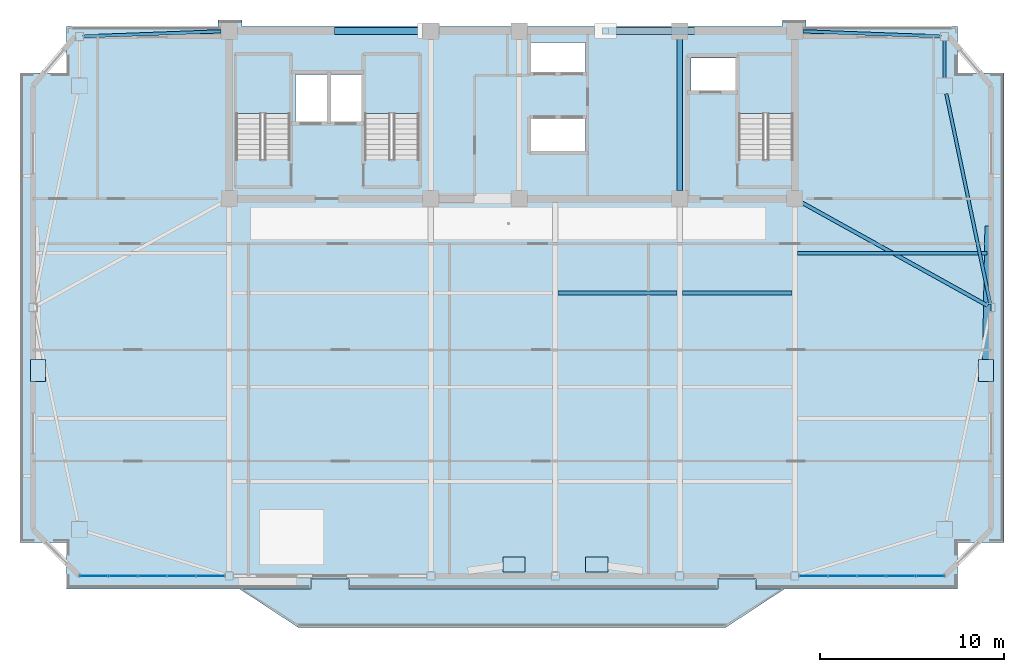
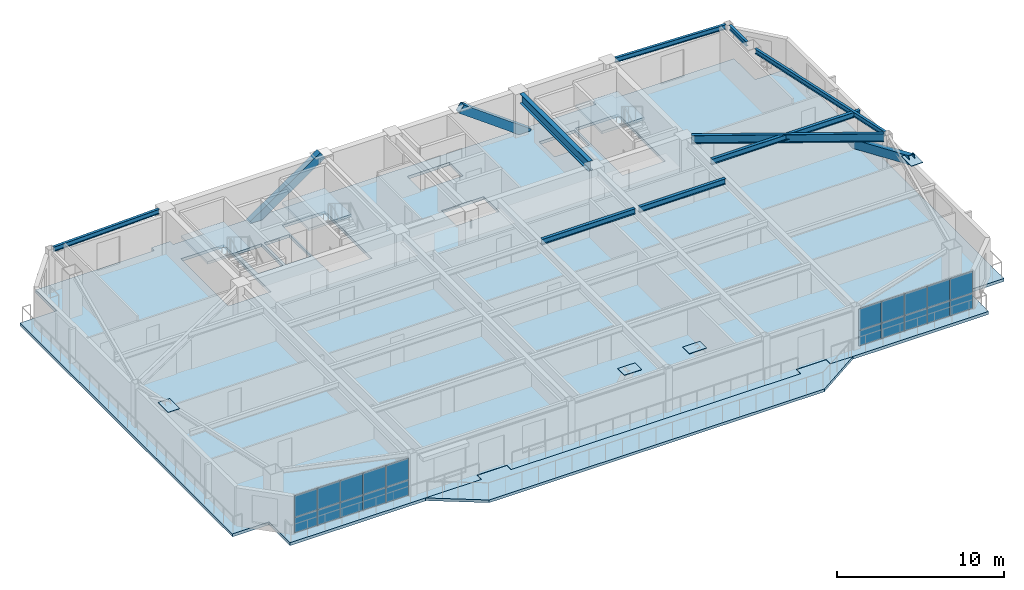
# One storey, part 7 of 16: 24 plates, 9 beams, 5 slabs, 3 members, 5 elements without a shape of their own.
"""IFC4 building model written with IfcOpenShell, lengths in metres."""

import ifcopenshell
import ifcopenshell.guid

model = None  # the IFC model being written
_history = None  # IfcOwnerHistory: only IFC2X3 demands one
_inside = {}  # id of a spatial element -> (the spatial element, [elements in it])
_under = {}  # id of a project, library or spatial element -> (it, [spatial elements below it])
_declared = {}  # id of a project -> (the project, [libraries it declares])
_typed = {}  # id of a type object -> (the type object, [elements of that type])
_made_of = {}  # id of a material, layer set ... -> (it, [elements and type objects made of it])


def new_model(schema):
    """Start an empty IFC model of exactly this schema.

    Asked for "IFC4X3", IfcOpenShell would pick the latest addendum, in which some entities
    have other attributes; the version numbers below select the first issue.
    IFC2X3 requires an IfcOwnerHistory on every rooted entity: one is made here for all.
    """
    global model, _history
    if schema == "IFC4X3":
        model = ifcopenshell.file(schema_version=(4, 3, 0, 0))
    else:
        model = ifcopenshell.file(schema=schema)
    _inside.clear()
    _under.clear()
    _declared.clear()
    _typed.clear()
    _made_of.clear()
    _history = None
    if model.schema == "IFC2X3":
        org = make("IfcOrganization", Name="unknown")
        user = make(
            "IfcPersonAndOrganization",
            ThePerson=make("IfcPerson", FamilyName="unknown"),
            TheOrganization=org,
        )
        app = make(
            "IfcApplication",
            ApplicationDeveloper=org,
            Version="unknown",
            ApplicationFullName="unknown",
            ApplicationIdentifier="unknown",
        )
        _history = make(
            "IfcOwnerHistory",
            OwningUser=user,
            OwningApplication=app,
            ChangeAction="ADDED",
            CreationDate=0,
        )
    return model


def make(cls, **values):
    """One entity of the class cls with the attributes given. An attribute that is None is left unset."""
    return model.create_entity(
        cls, **{name: value for name, value in values.items() if value is not None}
    )


def rooted(cls, **values):
    """An entity with a GlobalId (a new one), such as an element, a storey or a relation."""
    return make(cls, GlobalId=ifcopenshell.guid.new(), OwnerHistory=_history, **values)


def si_unit(unit_type, name, prefix=None):
    """IfcSIUnit, for example si_unit("LENGTHUNIT", "METRE", prefix="MILLI")."""
    return make("IfcSIUnit", UnitType=unit_type, Prefix=prefix, Name=name)


def assignment(units):
    """IfcUnitAssignment: the units of a project."""
    return None if units is None else make("IfcUnitAssignment", Units=units)


def point(xyz):
    """IfcCartesianPoint."""
    return None if xyz is None else make("IfcCartesianPoint", Coordinates=xyz)


def direction(xyz):
    """IfcDirection."""
    return None if xyz is None else make("IfcDirection", DirectionRatios=xyz)


def frame(location, z_axis=None, x_axis=None):
    """IfcAxis2Placement3D, a coordinate frame: its origin and axes. An axis left out is left unset."""
    return make(
        "IfcAxis2Placement3D",
        Location=point(location),
        Axis=direction(z_axis),
        RefDirection=direction(x_axis),
    )


def frame_2d(location, x_axis=None):
    """IfcAxis2Placement2D, a coordinate frame in the plane: its origin and x axis."""
    return make(
        "IfcAxis2Placement2D", Location=point(location), RefDirection=direction(x_axis)
    )


def origin():
    """The frame at (0, 0, 0) with its axes left unset."""
    return frame((0.0, 0.0, 0.0))


def origin_2d():
    """The frame at (0, 0) in the plane with its x axis left unset."""
    return frame_2d((0.0, 0.0))


def place(relative_to, where):
    """IfcLocalPlacement: puts the frame where relative to a parent placement (None: the world)."""
    return make(
        "IfcLocalPlacement", PlacementRelTo=relative_to, RelativePlacement=where
    )


def context(
    kind, dimensions, precision=None, world=None, true_north=None, identifier=None
):
    """IfcGeometricRepresentationContext, for example the 3D "Model" context."""
    return make(
        "IfcGeometricRepresentationContext",
        ContextIdentifier=identifier,
        ContextType=kind,
        CoordinateSpaceDimension=dimensions,
        Precision=precision,
        WorldCoordinateSystem=world,
        TrueNorth=true_north,
    )


def subcontext(parent, identifier, kind, view, scale=None):
    """IfcGeometricRepresentationSubContext, for example "Body" below "Model"."""
    return make(
        "IfcGeometricRepresentationSubContext",
        ContextIdentifier=identifier,
        ContextType=kind,
        ParentContext=parent,
        TargetScale=scale,
        TargetView=view,
    )


def project(units=None, contexts=None):
    """IfcProject with its units and contexts."""
    return rooted(
        "IfcProject",
        Name="project",
        RepresentationContexts=contexts,
        UnitsInContext=assignment(units),
    )


def spatial(cls, under=None, at=None, **own):
    """A site, building, storey or space (cls), placed at a placement, below another one or the project."""
    s = rooted(cls, ObjectPlacement=at, **own)
    if under is not None:
        _under.setdefault(under.id(), (under, []))[1].append(s)
    return s


def polyline(points):
    """IfcPolyline through the points."""
    return make("IfcPolyline", Points=[point(p) for p in points])


def profile(cls, at=None, kind="AREA", **sizes):
    """A parametric profile (cls). Its sizes go by their IFC names, for example OverallWidth=200.0."""
    return make(cls, ProfileType=kind, Position=at, **sizes)


def rectangle(**sizes):
    """IfcRectangleProfileDef."""
    return profile("IfcRectangleProfileDef", **sizes)


def hollow_rectangle(**sizes):
    """IfcRectangleHollowProfileDef."""
    return profile("IfcRectangleHollowProfileDef", **sizes)


def i_section(**sizes):
    """IfcIShapeProfileDef."""
    return profile("IfcIShapeProfileDef", **sizes)


def outline(outer, holes=None, kind="AREA"):
    """IfcArbitraryClosedProfileDef: a profile drawn as a closed curve; with holes, ...WithVoids."""
    if holes is None:
        return make("IfcArbitraryClosedProfileDef", ProfileType=kind, OuterCurve=outer)
    return make(
        "IfcArbitraryProfileDefWithVoids",
        ProfileType=kind,
        OuterCurve=outer,
        InnerCurves=holes,
    )


def extrude(swept, where, along, depth):
    """IfcExtrudedAreaSolid: the profile swept, set in the frame where, extruded along a direction by depth."""
    return make(
        "IfcExtrudedAreaSolid",
        SweptArea=swept,
        Position=where,
        ExtrudedDirection=direction(along),
        Depth=depth,
    )


def shape(context_of_items, identifier, shape_type, items):
    """IfcShapeRepresentation: the items that make up one representation, for example the "Body"."""
    return make(
        "IfcShapeRepresentation",
        ContextOfItems=context_of_items,
        RepresentationIdentifier=identifier,
        RepresentationType=shape_type,
        Items=items,
    )


def source(mapping_origin, context_of_items, identifier, shape_type, items):
    """IfcRepresentationMap: a shape defined once, which mapped items show again and again."""
    return make(
        "IfcRepresentationMap",
        MappingOrigin=mapping_origin,
        MappedRepresentation=shape(context_of_items, identifier, shape_type, items),
    )


def transform(
    local_origin,
    x_axis=None,
    y_axis=None,
    z_axis=None,
    scale=None,
    scale2=None,
    scale3=None,
    uniform=True,
):
    """IfcCartesianTransformationOperator3D, or its non-uniform kind. x_axis, y_axis, z_axis: its Axis1, 2, 3."""
    if uniform:
        return make(
            "IfcCartesianTransformationOperator3D",
            Axis1=direction(x_axis),
            Axis2=direction(y_axis),
            LocalOrigin=point(local_origin),
            Scale=scale,
            Axis3=direction(z_axis),
        )
    return make(
        "IfcCartesianTransformationOperator3DnonUniform",
        Axis1=direction(x_axis),
        Axis2=direction(y_axis),
        LocalOrigin=point(local_origin),
        Scale=scale,
        Axis3=direction(z_axis),
        Scale2=scale2,
        Scale3=scale3,
    )


def mapped(mapping_source, mapping_target):
    """IfcMappedItem: shows the shape of a source again, moved by a transform."""
    return make(
        "IfcMappedItem", MappingSource=mapping_source, MappingTarget=mapping_target
    )


def material(Name=None, Category=None):
    """IfcMaterial."""
    return make("IfcMaterial", Name=Name, Category=Category)


def layer(
    of_material, thickness, ventilated=None, Name=None, Category=None, Priority=None
):
    """IfcMaterialLayer: one layer of a wall or slab, of a material (None: an air gap)."""
    return make(
        "IfcMaterialLayer",
        Material=of_material,
        LayerThickness=thickness,
        IsVentilated=ventilated,
        Name=Name,
        Category=Category,
        Priority=Priority,
    )


def layer_set(layers, Name=None):
    """IfcMaterialLayerSet."""
    return make("IfcMaterialLayerSet", MaterialLayers=layers, LayerSetName=Name)


def material_profile(
    of_material, cross_section, Name=None, Category=None, Priority=None
):
    """IfcMaterialProfile: a cross section and its material."""
    return make(
        "IfcMaterialProfile",
        Name=Name,
        Material=of_material,
        Profile=cross_section,
        Priority=Priority,
        Category=Category,
    )


def profile_set(profiles, Name=None, composite=None):
    """IfcMaterialProfileSet."""
    return make(
        "IfcMaterialProfileSet",
        Name=Name,
        MaterialProfiles=profiles,
        CompositeProfile=composite,
    )


def made_of(thing, what):
    """Note that an element or type object is made of a material, layer set ...; save() writes the relation."""
    if what is not None:
        _made_of.setdefault(what.id(), (what, []))[1].append(thing)
    return thing


def type_object(cls, material=None, **own):
    """A type object (cls), such as IfcWallType, which elements share."""
    return made_of(rooted(cls, **own), material)


def element(
    cls,
    number,
    at=None,
    inside=None,
    cuts=None,
    type_object=None,
    material=None,
    context=None,
    identifier="Body",
    shape_type=None,
    held_by="IfcProductDefinitionShape",
    body=None,
    shapes=None,
    **own,
):
    """One element of the class cls, such as IfcWall. Its Tag is "e" and its number.

    at: its placement. inside: the storey or other place that contains it. cuts: it is an
    opening in that element (IfcRelVoidsElement). A single representation is given by context,
    identifier, shape_type and body (its items); several are given by shapes. held_by: the class
    of the entity that holds the representations. save() writes the other relations.
    """
    e = rooted(cls, Tag="e%d" % number, ObjectPlacement=at, **own)
    if body is not None:
        shapes = [shape(context, identifier, shape_type, body)]
    if shapes is not None:
        e.Representation = make(held_by, Representations=shapes)
    if inside is not None:
        _inside.setdefault(inside.id(), (inside, []))[1].append(e)
    if cuts is not None:
        rooted(
            "IfcRelVoidsElement", RelatingBuildingElement=cuts, RelatedOpeningElement=e
        )
    if type_object is not None:
        _typed.setdefault(type_object.id(), (type_object, []))[1].append(e)
    return made_of(e, material)


def aggregate(whole, parts):
    """IfcRelAggregates: a whole, such as a stair, and the parts it consists of."""
    return rooted("IfcRelAggregates", RelatingObject=whole, RelatedObjects=parts)


def save(model, path):
    """Write the relations noted so far, then the file.

    IfcRelAggregates (storeys below a building ...), IfcRelContainedInSpatialStructure (elements
    in a storey), IfcRelDefinesByType, IfcRelAssociatesMaterial and IfcRelDeclares: one each for
    every whole, place, type object, material and project.
    """
    for whole, parts in _under.values():
        aggregate(whole, parts)
    for where, things in _inside.values():
        rooted(
            "IfcRelContainedInSpatialStructure",
            RelatedElements=things,
            RelatingStructure=where,
        )
    for kind, things in _typed.values():
        rooted("IfcRelDefinesByType", RelatedObjects=things, RelatingType=kind)
    for what, things in _made_of.values():
        rooted("IfcRelAssociatesMaterial", RelatedObjects=things, RelatingMaterial=what)
    for by, libraries in _declared.values():
        rooted("IfcRelDeclares", RelatingContext=by, RelatedDefinitions=libraries)
    model.write(path)


model = new_model("IFC4")

# Units and contexts
model_context = context("Model", 3, precision=1e-05, world=origin(), true_north=direction((0.0, 1.0)))
body_context = subcontext(model_context, "Body", "Model", "MODEL_VIEW")
ifc_project = project(units=[si_unit("LENGTHUNIT", "METRE"), si_unit("AREAUNIT", "SQUARE_METRE"), si_unit("VOLUMEUNIT", "CUBIC_METRE"), si_unit("PLANEANGLEUNIT", "RADIAN"), si_unit("MASSUNIT", "GRAM", prefix="KILO")], contexts=[model_context])

# Site, building, storey
site_placement = place(None, origin())
site = spatial("IfcSite", under=ifc_project, at=site_placement, CompositionType="ELEMENT")
building_placement = place(site_placement, origin())
building = spatial("IfcBuilding", under=site, at=building_placement, Name="Giltprow Tower", CompositionType="ELEMENT")
storey_placement = place(building_placement, frame((0.0, 0.0, 272.300048828125)))
storey = spatial("IfcBuildingStorey", under=building, at=storey_placement, Name="L70", CompositionType="ELEMENT", Elevation=272.300048828125)

# Beams
ifc_material_1 = material(Name="Structural steel Q355B", Category="steel")
ifc_material_profile_1 = material_profile(ifc_material_1, i_section(OverallWidth=0.199951171875, OverallDepth=0.39990234375, WebThickness=0.008056640625, FlangeThickness=0.012939453125, at=origin_2d()), Name="HN 400x200x8x13")
ifc_profile_set_1 = profile_set([ifc_material_profile_1], Name="Structural steel Q355B")
beam_type_1 = type_object("IfcBeamType", Name="BM-JOIST-HN400", PredefinedType="JOIST", material=ifc_profile_set_1)
shared_shape_1 = source(origin(), body_context, "Body", "SweptSolid", [
    extrude(i_section(OverallWidth=0.199951171875, OverallDepth=0.39990234375, WebThickness=0.008056640625, FlangeThickness=0.012939453125, at=origin_2d()), origin(), (0.0, 0.0, 1.0), 6.4599609375),
])
beam_1_placement = place(storey_placement, frame((37.695068359375, 32.33203125, 2.98486328125), z_axis=(1.0, 0.0, 0.0), x_axis=(0.0, 1.0, 0.0)))
element("IfcBeam", 1, at=beam_1_placement, inside=storey, type_object=beam_type_1, Name="L70 Composite Floor Joist 3-3", PredefinedType="JOIST", context=body_context, shape_type="MappedRepresentation", body=[
    mapped(shared_shape_1, transform((0.0, 0.0, 0.0), x_axis=(1.0, 0.0, 0.0), y_axis=(0.0, 1.0, 0.0), z_axis=(0.0, 0.0, 1.0), scale=1.0)),
])
shared_shape_2 = source(origin(), body_context, "Body", "SweptSolid", [
    extrude(i_section(OverallWidth=0.199951171875, OverallDepth=0.39990234375, WebThickness=0.008056640625, FlangeThickness=0.012939453125, at=origin_2d()), origin(), (0.0, 0.0, 1.0), 5.9599609375),
])
beam_2_placement = place(storey_placement, frame((44.445068359375, 32.33203125, 2.98486328125), z_axis=(1.0, 0.0, 0.0), x_axis=(0.0, 1.0, 0.0)))
element("IfcBeam", 2, at=beam_2_placement, inside=storey, type_object=beam_type_1, Name="L70 Composite Floor Joist 3-4", PredefinedType="JOIST", context=body_context, shape_type="MappedRepresentation", body=[
    mapped(shared_shape_2, transform((0.0, 0.0, 0.0), x_axis=(1.0, 0.0, 0.0), y_axis=(0.0, 1.0, 0.0), z_axis=(0.0, 0.0, 1.0), scale=1.0)),
])
ifc_material_profile_2 = material_profile(ifc_material_1, i_section(OverallWidth=0.300048828125, OverallDepth=0.699951171875, WebThickness=0.012939453125, FlangeThickness=0.02392578125, at=origin_2d()), Name="HN 700x300x13x24")
ifc_profile_set_2 = profile_set([ifc_material_profile_2], Name="Structural steel Q355B")
beam_type_2 = type_object("IfcBeamType", Name="BM-GIRD-HN700", PredefinedType="BEAM", material=ifc_profile_set_2)
shared_shape_3 = source(origin(), body_context, "Body", "SweptSolid", [
    extrude(i_section(OverallWidth=0.300048828125, OverallDepth=0.699951171875, WebThickness=0.012939453125, FlangeThickness=0.02392578125, at=origin_2d()), origin(), (0.0, 0.0, 1.0), 8.22998046875),
])
beam_3_placement = place(storey_placement, frame((44.300048828125, 37.885009765625, 2.8349609375), z_axis=(0.0, 1.0, 0.0), x_axis=(-1.0, 0.0, 0.0)))
element("IfcBeam", 3, at=beam_3_placement, inside=storey, type_object=beam_type_2, Name="L70 Core Tie Girder M3", PredefinedType="BEAM", context=body_context, shape_type="MappedRepresentation", body=[
    mapped(shared_shape_3, transform((0.0, 0.0, 0.0), x_axis=(1.0, 0.0, 0.0), y_axis=(0.0, 1.0, 0.0), z_axis=(0.0, 0.0, 1.0), scale=1.0)),
])
shared_shape_4 = source(origin(), body_context, "Body", "SweptSolid", [
    extrude(i_section(OverallWidth=0.199951171875, OverallDepth=0.39990234375, WebThickness=0.008056640625, FlangeThickness=0.012939453125, at=origin_2d()), origin(), (0.0, 0.0, 1.0), 10.2919921875),
])
beam_4_placement = place(storey_placement, frame((50.695068359375, 34.493896484375, 2.98486328125), z_axis=(1.0, 0.0, 0.0), x_axis=(0.0, 1.0, 0.0)))
element("IfcBeam", 4, at=beam_4_placement, inside=storey, type_object=beam_type_1, Name="L70 East Wing Floor Joist 2", PredefinedType="JOIST", context=body_context, shape_type="MappedRepresentation", body=[
    mapped(shared_shape_4, transform((0.0, 0.0, 0.0), x_axis=(1.0, 0.0, 0.0), y_axis=(0.0, 1.0, 0.0), z_axis=(0.0, 0.0, 1.0), scale=1.0)),
])
ifc_material_profile_3 = material_profile(ifc_material_1, i_section(OverallWidth=0.175048828125, OverallDepth=0.35009765625, WebThickness=0.007080078125, FlangeThickness=0.010986328125, at=origin_2d()), Name="HN 350x175x7x11")
ifc_profile_set_3 = profile_set([ifc_material_profile_3], Name="Structural steel Q355B")
beam_type_3 = type_object("IfcBeamType", Name="BM-SPAN-HN350", PredefinedType="SPANDREL", material=ifc_profile_set_3)
shared_shape_5 = source(origin(), body_context, "Body", "SweptSolid", [
    extrude(i_section(OverallWidth=0.175048828125, OverallDepth=0.35009765625, WebThickness=0.007080078125, FlangeThickness=0.010986328125, at=origin_2d()), origin(), (0.0, 0.0, 1.0), 11.65478515625),
])
beam_5_placement = place(storey_placement, frame((61.1640625, 31.743896484375, 3.010009765625), z_axis=(-0.205159502565, 0.978728552004, 0.0), x_axis=(-0.978728552004, -0.205159502565, 0.0)))
element("IfcBeam", 5, at=beam_5_placement, inside=storey, type_object=beam_type_3, Name="L70 Perimeter Spandrel Beam E_MID-MC_NE", PredefinedType="SPANDREL", context=body_context, shape_type="MappedRepresentation", body=[
    mapped(shared_shape_5, transform((0.0, 0.0, 0.0), x_axis=(1.0, 0.0, 0.0), y_axis=(0.0, 1.0, 0.0), z_axis=(0.0, 0.0, 1.0), scale=1.0)),
])
shared_shape_6 = source(origin(), body_context, "Body", "SweptSolid", [
    extrude(i_section(OverallWidth=0.175048828125, OverallDepth=0.35009765625, WebThickness=0.007080078125, FlangeThickness=0.010986328125, at=origin_2d()), origin(), (0.0, 0.0, 1.0), 2.028076171875),
])
beam_6_placement = place(storey_placement, frame((58.68408203125, 44.011962890625, 3.010009765625), z_axis=(0.0, 1.0, 0.0), x_axis=(-1.0, 0.0, 0.0)))
element("IfcBeam", 6, at=beam_6_placement, inside=storey, type_object=beam_type_3, Name="L70 Perimeter Spandrel Beam MC_NE-N_E", PredefinedType="SPANDREL", context=body_context, shape_type="MappedRepresentation", body=[
    mapped(shared_shape_6, transform((0.0, 0.0, 0.0), x_axis=(1.0, 0.0, 0.0), y_axis=(0.0, 1.0, 0.0), z_axis=(0.0, 0.0, 1.0), scale=1.0)),
])
shared_shape_7 = source(origin(), body_context, "Body", "SweptSolid", [
    extrude(i_section(OverallWidth=0.175048828125, OverallDepth=0.35009765625, WebThickness=0.007080078125, FlangeThickness=0.010986328125, at=origin_2d()), origin(), (0.0, 0.0, 1.0), 7.4931640625),
])
beam_7_placement = place(storey_placement, frame((11.927001953125, 46.258056640625, 3.010009765625), z_axis=(0.999322000822, 0.036817640798, 0.0), x_axis=(-0.036817640798, 0.999322000822, 0.0)))
element("IfcBeam", 7, at=beam_7_placement, inside=storey, type_object=beam_type_3, Name="L70 North Wing Spandrel W", PredefinedType="SPANDREL", context=body_context, shape_type="MappedRepresentation", body=[
    mapped(shared_shape_7, transform((0.0, 0.0, 0.0), x_axis=(1.0, 0.0, 0.0), y_axis=(0.0, 1.0, 0.0), z_axis=(0.0, 0.0, 1.0), scale=1.0)),
])
shared_shape_8 = source(origin(), body_context, "Body", "SweptSolid", [
    extrude(i_section(OverallWidth=0.175048828125, OverallDepth=0.35009765625, WebThickness=0.007080078125, FlangeThickness=0.010986328125, at=origin_2d()), origin(), (0.0, 0.0, 1.0), 7.494140625),
])
beam_8_placement = place(storey_placement, frame((50.985107421875, 46.533935546875, 3.010009765625), z_axis=(0.999322177452, -0.036812846309, 0.0), x_axis=(0.036812846309, 0.999322177452, 0.0)))
element("IfcBeam", 8, at=beam_8_placement, inside=storey, type_object=beam_type_3, Name="L70 North Wing Spandrel E", PredefinedType="SPANDREL", context=body_context, shape_type="MappedRepresentation", body=[
    mapped(shared_shape_8, transform((0.0, 0.0, 0.0), x_axis=(1.0, 0.0, 0.0), y_axis=(0.0, 1.0, 0.0), z_axis=(0.0, 0.0, 1.0), scale=1.0)),
])
ifc_material_profile_4 = material_profile(ifc_material_1, i_section(OverallWidth=0.199951171875, OverallDepth=0.60009765625, WebThickness=0.010986328125, FlangeThickness=0.01708984375, at=origin_2d()), Name="HN 600x200x11x17")
ifc_profile_set_4 = profile_set([ifc_material_profile_4], Name="Structural steel Q355B")
beam_type_4 = type_object("IfcBeamType", Name="BM-GIRD-HN600", PredefinedType="BEAM", material=ifc_profile_set_4)
shared_shape_9 = source(origin(), body_context, "Body", "SweptSolid", [
    extrude(i_section(OverallWidth=0.199951171875, OverallDepth=0.60009765625, WebThickness=0.010986328125, FlangeThickness=0.01708984375, at=origin_2d()), origin(), (0.0, 0.0, 1.0), 11.5419921875),
])
beam_9_placement = place(storey_placement, frame((61.02294921875, 31.639892578125, 2.885009765625), z_axis=(-0.874455437825, 0.485105851602, 0.0), x_axis=(-0.485105851602, -0.874455437825, 0.0)))
element("IfcBeam", 9, at=beam_9_placement, inside=storey, type_object=beam_type_4, Name="L70 East Wing Primary Girder", PredefinedType="BEAM", context=body_context, shape_type="MappedRepresentation", body=[
    mapped(shared_shape_9, transform((0.0, 0.0, 0.0), x_axis=(1.0, 0.0, 0.0), y_axis=(0.0, 1.0, 0.0), z_axis=(0.0, 0.0, 1.0), scale=1.0)),
])

# Members
ifc_material_2 = material(Name="Structural steel Q420GJC", Category="steel")
ifc_material_profile_5 = material_profile(ifc_material_2, hollow_rectangle(XDim=0.39990234375, YDim=0.60009765625, WallThickness=0.028076171875, at=origin_2d()), Name="RHS 600x400x28")
ifc_profile_set_5 = profile_set([ifc_material_profile_5], Name="Structural steel Q420GJC")
member_type = type_object("IfcMemberType", Name="MBR-MEGA-RHS600", PredefinedType="BRACE", material=ifc_profile_set_5)
shared_shape_10 = source(origin(), body_context, "Body", "SweptSolid", [
    extrude(hollow_rectangle(XDim=0.39990234375, YDim=0.60009765625, WallThickness=0.028076171875, at=origin_2d()), origin(), (0.0, 0.0, 1.0), 5.9921875),
])
member_1_placement = place(storey_placement, frame((25.73291015625, 46.550048828125, -0.14013671875), z_axis=(0.823420878969, 0.0, 0.567431102494), x_axis=(0.0, 1.0, 0.0)))
element("IfcMember", 10, at=member_1_placement, inside=storey, type_object=member_type, Name="L70 Chevron Mega-Brace N-L", PredefinedType="BRACE", context=body_context, shape_type="MappedRepresentation", body=[
    mapped(shared_shape_10, transform((0.0, 0.0, 0.0), x_axis=(1.0, 0.0, 0.0), y_axis=(0.0, 1.0, 0.0), z_axis=(0.0, 0.0, 1.0), scale=1.0)),
])
shared_shape_11 = source(origin(), body_context, "Body", "SweptSolid", [
    extrude(hollow_rectangle(XDim=0.39990234375, YDim=0.60009765625, WallThickness=0.028076171875, at=origin_2d()), origin(), (0.0, 0.0, 1.0), 5.7734375),
])
member_2_placement = place(storey_placement, frame((44.93310546875, 46.550048828125, -0.14013671875), z_axis=(-0.808185316057, 0.0, 0.588928259561), x_axis=(0.0, -1.0, 0.0)))
element("IfcMember", 11, at=member_2_placement, inside=storey, type_object=member_type, Name="L70 Chevron Mega-Brace N-R", PredefinedType="BRACE", context=body_context, shape_type="MappedRepresentation", body=[
    mapped(shared_shape_11, transform((0.0, 0.0, 0.0), x_axis=(1.0, 0.0, 0.0), y_axis=(0.0, 1.0, 0.0), z_axis=(0.0, 0.0, 1.0), scale=1.0)),
])
shared_shape_12 = source(origin(), body_context, "Body", "SweptSolid", [
    extrude(hollow_rectangle(XDim=0.39990234375, YDim=0.60009765625, WallThickness=0.028076171875, at=origin_2d()), origin(), (0.0, 0.0, 1.0), 8.44580078125),
])
member_3_placement = place(storey_placement, frame((61.068115234375, 35.845947265625, 0.0), z_axis=(-0.01636127859, -0.915248768031, 0.402556829752), x_axis=(0.999840256901, -0.017873462997, 0.0)))
element("IfcMember", 12, at=member_3_placement, inside=storey, type_object=member_type, Name="L70 Chevron Mega-Brace E-D", PredefinedType="BRACE", context=body_context, shape_type="MappedRepresentation", body=[
    mapped(shared_shape_12, transform((0.0, 0.0, 0.0), x_axis=(1.0, 0.0, 0.0), y_axis=(0.0, 1.0, 0.0), z_axis=(0.0, 0.0, 1.0), scale=1.0)),
])

# Slabs
ifc_material_3 = material(Name="Concrete C40", Category="concrete")
ifc_layer_1 = layer(ifc_material_3, 0.199951171875, Name="Concrete C40")
ifc_layer_set_1 = layer_set([ifc_layer_1], Name="Concrete C40")
slab_type_1 = type_object("IfcSlabType", Name="SLB-BALC-BRONZE-200", PredefinedType="FLOOR", material=ifc_layer_set_1)
slab_1_placement = place(storey_placement, frame((0.0, 0.0, -0.199951171875)))
element("IfcSlab", 13, at=slab_1_placement, inside=storey, type_object=slab_type_1, Name="L70 Bronze Prow Waterfront Balcony Slab", PredefinedType="FLOOR", context=body_context, shape_type="SweptSolid", body=[
    extrude(outline(polyline([(50.0, 16.27587890625), (46.800048828125, 14.176025390625), (23.60009765625, 14.176025390625), (20.39990234375, 16.27587890625), (24.280029296875, 16.27587890625), (24.280029296875, 16.77587890625), (26.320068359375, 16.77587890625), (26.320068359375, 16.27587890625), (46.3798828125, 16.27587890625), (46.3798828125, 16.77587890625), (48.419921875, 16.77587890625), (48.419921875, 16.27587890625), (50.0, 16.27587890625)])), origin(), (0.0, 0.0, 1.0), 0.199951171875),
])
ifc_layer_2 = layer(ifc_material_3, 0.215087890625, Name="Concrete C40")
ifc_layer_set_2 = layer_set([ifc_layer_2], Name="Concrete C40")
slab_type_2 = type_object("IfcSlabType", Name="SLB-RES-215", PredefinedType="FLOOR", material=ifc_layer_set_2)
slab_2_placement = place(storey_placement, frame((0.0, 0.0, -0.215087890625)))
element("IfcSlab", 14, at=slab_2_placement, inside=storey, type_object=slab_type_2, Name="L70 Structural Composite Floor Slab", PredefinedType="FLOOR", context=body_context, shape_type="SweptSolid", body=[
    extrude(outline(polyline([(61.906982421875, 44.27587890625), (61.906982421875, 18.799072265625), (59.383056640625, 18.799072265625), (59.383056640625, 16.27587890625), (48.449951171875, 16.27587890625), (48.449951171875, 16.7958984375), (46.35009765625, 16.7958984375), (46.35009765625, 16.27587890625), (26.35009765625, 16.27587890625), (26.35009765625, 16.7958984375), (24.25, 16.7958984375), (24.25, 16.27587890625), (11.01708984375, 16.27587890625), (11.01708984375, 18.799072265625), (8.493896484375, 18.799072265625), (8.493896484375, 44.27587890625), (11.01708984375, 44.27587890625), (11.01708984375, 46.800048828125), (19.25, 46.800048828125), (19.25, 47.14990234375), (20.550048828125, 47.14990234375), (20.550048828125, 46.800048828125), (49.85009765625, 46.800048828125), (49.85009765625, 47.14990234375), (51.14990234375, 47.14990234375), (51.14990234375, 46.800048828125), (59.383056640625, 46.800048828125), (59.383056640625, 44.27587890625), (61.906982421875, 44.27587890625)]), holes=[polyline([(39.18994140625, 41.800048828125), (36.239990234375, 41.800048828125), (36.239990234375, 40.0), (39.18994140625, 40.0), (39.18994140625, 41.800048828125)]), polyline([(23.159912109375, 39.570068359375), (23.159912109375, 45.25), (20.199951171875, 45.25), (20.199951171875, 39.570068359375), (23.159912109375, 39.570068359375)]), polyline([(30.159912109375, 39.570068359375), (30.159912109375, 45.25), (27.199951171875, 45.25), (27.199951171875, 39.570068359375), (30.159912109375, 39.570068359375)]), polyline([(50.4599609375, 45.25), (47.5, 45.25), (47.5, 39.570068359375), (50.4599609375, 39.570068359375), (50.4599609375, 45.25)]), polyline([(25.169921875, 44.199951171875), (23.449951171875, 44.199951171875), (23.449951171875, 41.60009765625), (25.169921875, 41.60009765625), (25.169921875, 44.199951171875)]), polyline([(27.10009765625, 44.199951171875), (25.35009765625, 44.199951171875), (25.35009765625, 41.60009765625), (27.10009765625, 41.60009765625), (27.10009765625, 44.199951171875)]), polyline([(47.3798828125, 43.300048828125), (47.3798828125, 45.10009765625), (44.919921875, 45.10009765625), (44.919921875, 43.300048828125), (47.3798828125, 43.300048828125)]), polyline([(39.18994140625, 44.300048828125), (39.18994140625, 45.919921875), (36.239990234375, 45.919921875), (36.239990234375, 44.300048828125), (39.18994140625, 44.300048828125)])]), origin(), (0.0, 0.0, 1.0), 0.215087890625),
])

# Stair, slab
stair_type_1 = type_object("IfcStairType", Name="STR-ST-1", PredefinedType="HALF_TURN_STAIR", material=ifc_material_3)
stair_1_placement = place(storey_placement, origin())
stair_1 = element("IfcStair", 15, at=stair_1_placement, inside=storey, type_object=stair_type_1, Name="L70 Core Exit Stair ST-1", PredefinedType="HALF_TURN_STAIR")
ifc_layer_3 = layer(ifc_material_3, 0.179931640625, Name="Concrete C40")
ifc_layer_set_3 = layer_set([ifc_layer_3], Name="Concrete C40")
slab_type_3 = type_object("IfcSlabType", Name="SLD-ST-1", PredefinedType="LANDING", material=ifc_layer_set_3)
slab_3_placement = place(storey_placement, frame((0.0, 0.0, 1.52001953125)))
slab_3 = element("IfcSlab", 16, at=slab_3_placement, type_object=slab_type_3, Name="ST-1 landing 1", PredefinedType="LANDING", context=body_context, shape_type="SweptSolid", body=[
    extrude(outline(polyline([(23.159912109375, 42.070068359375), (23.159912109375, 45.25), (20.199951171875, 45.25), (20.199951171875, 42.070068359375), (23.159912109375, 42.070068359375)])), origin(), (0.0, 0.0, 1.0), 0.179931640625),
])
aggregate(stair_1, [slab_3])

stair_type_2 = type_object("IfcStairType", Name="STR-ST-2", PredefinedType="HALF_TURN_STAIR", material=ifc_material_3)
stair_2_placement = place(storey_placement, origin())
stair_2 = element("IfcStair", 17, at=stair_2_placement, inside=storey, type_object=stair_type_2, Name="L70 Core Exit Stair ST-2", PredefinedType="HALF_TURN_STAIR")
ifc_layer_4 = layer(ifc_material_3, 0.18798828125, Name="Concrete C40")
ifc_layer_set_4 = layer_set([ifc_layer_4], Name="Concrete C40")
slab_type_4 = type_object("IfcSlabType", Name="SLD-ST-2", PredefinedType="LANDING", material=ifc_layer_set_4)
slab_4_placement = place(storey_placement, frame((0.0, 0.0, 1.511962890625)))
slab_4 = element("IfcSlab", 18, at=slab_4_placement, type_object=slab_type_4, Name="ST-2 landing 1", PredefinedType="LANDING", context=body_context, shape_type="SweptSolid", body=[
    extrude(outline(polyline([(30.159912109375, 42.070068359375), (30.159912109375, 45.25), (27.199951171875, 45.25), (27.199951171875, 42.070068359375), (30.159912109375, 42.070068359375)])), origin(), (0.0, 0.0, 1.0), 0.18798828125),
])
aggregate(stair_2, [slab_4])

stair_type_3 = type_object("IfcStairType", Name="STR-ST-3", PredefinedType="HALF_TURN_STAIR", material=ifc_material_3)
stair_3_placement = place(storey_placement, origin())
stair_3 = element("IfcStair", 19, at=stair_3_placement, inside=storey, type_object=stair_type_3, Name="L70 Core Exit Stair ST-3", PredefinedType="HALF_TURN_STAIR")
ifc_layer_5 = layer(ifc_material_3, 0.196044921875, Name="Concrete C40")
ifc_layer_set_5 = layer_set([ifc_layer_5], Name="Concrete C40")
slab_type_5 = type_object("IfcSlabType", Name="SLD-ST-3", PredefinedType="LANDING", material=ifc_layer_set_5)
slab_5_placement = place(storey_placement, frame((0.0, 0.0, 1.50390625)))
slab_5 = element("IfcSlab", 20, at=slab_5_placement, type_object=slab_type_5, Name="ST-3 landing 1", PredefinedType="LANDING", context=body_context, shape_type="SweptSolid", body=[
    extrude(outline(polyline([(50.4599609375, 42.070068359375), (50.4599609375, 45.25), (47.5, 45.25), (47.5, 42.070068359375), (50.4599609375, 42.070068359375)])), origin(), (0.0, 0.0, 1.0), 0.196044921875),
])
aggregate(stair_3, [slab_5])

# Plates
plate_type_1 = type_object("IfcPlateType", Name="PLT-CAP-SEAL", PredefinedType="USERDEFINED", material=ifc_material_2)
shared_shape_13 = source(origin(), body_context, "Body", "SweptSolid", [
    extrude(rectangle(XDim=1.199951171875, YDim=0.800048828125, at=origin_2d()), origin(), (0.0, 0.0, 1.0), 0.034912109375),
])
for number, where, z_axis, x_axis, name in (
    (21, (35.300048828125, 17.596923828125, 3.38232421875), (0.0, 0.0, 1.0), (1.0, 0.0, 0.0), "Mega-Brace Node L70-S-LB"),
    (22, (39.800048828125, 17.596923828125, 3.38232421875), (0.0, 0.0, 1.0), (1.0, 0.0, 0.0), "Mega-Brace Node L70-S-RB"),
    (23, (9.470947265625, 28.115966796875, 3.38232421875), (0.0, 0.0, 1.0), (0.0, 1.0, 0.0), "Mega-Brace Node L70-W-DB"),
    (24, (60.929931640625, 28.115966796875, 3.38232421875), (0.0, 0.0, 1.0), (0.0, 1.0, 0.0), "Mega-Brace Node L70-E-DB"),
):
    element("IfcPlate", number, at=place(storey_placement, frame(where, z_axis=z_axis, x_axis=x_axis)), inside=storey, type_object=plate_type_1, Name=name, ObjectType="SPLICE", PredefinedType="USERDEFINED", context=body_context, shape_type="MappedRepresentation", body=[
        mapped(shared_shape_13, transform((0.0, 0.0, 0.0), x_axis=(1.0, 0.0, 0.0), y_axis=(0.0, 1.0, 0.0), z_axis=(0.0, 0.0, 1.0), scale=1.0)),
    ])

# Curtain wall, plates
ifc_material_4 = material(Name="Anodized bronze", Category="metal")
ifc_layer_6 = layer(ifc_material_4, 0.179931640625, Name="Anodized bronze")
ifc_layer_set_6 = layer_set([ifc_layer_6], Name="Anodized bronze")
curtain_wall_type = type_object("IfcCurtainWallType", Name="CW-RES-SKY", PredefinedType="NOTDEFINED", material=ifc_layer_set_6)
curtain_wall_1_placement = place(storey_placement, origin())
curtain_wall_1 = element("IfcCurtainWall", 25, at=curtain_wall_1_placement, inside=storey, type_object=curtain_wall_type, Name="L70 South Recessed Curtain Wall 1", PredefinedType="NOTDEFINED")
ifc_material_5 = material(Name="Insulated glass", Category="glass")
plate_type_2 = type_object("IfcPlateType", Name="CW-PANEL-IGU-28", PredefinedType="CURTAIN_PANEL", material=ifc_material_5)
shared_shape_14 = source(origin(), body_context, "Body", "SweptSolid", [
    extrude(rectangle(XDim=1.552001953125, YDim=0.028076171875, at=origin_2d()), origin(), (0.0, 0.0, 1.0), 1.114013671875),
])
plate_1_placement = place(storey_placement, frame((12.508056640625, 16.97607421875, 0.0537109375), z_axis=(0.0, 0.0, 1.0), x_axis=(1.0, 0.0, 0.0)))
plate_1 = element("IfcPlate", 26, at=plate_1_placement, type_object=plate_type_2, Name="L70 South Recessed Curtain Wall 1 Glazing Panel 1-1", PredefinedType="CURTAIN_PANEL", context=body_context, shape_type="MappedRepresentation", body=[
    mapped(shared_shape_14, transform((0.0, 0.0, 0.0), x_axis=(1.0, 0.0, 0.0), y_axis=(0.0, 1.0, 0.0), z_axis=(0.0, 0.0, 1.0), scale=1.0)),
])
plate_2_placement = place(storey_placement, frame((14.089111328125, 16.97607421875, 0.0537109375), z_axis=(0.0, 0.0, 1.0), x_axis=(1.0, 0.0, 0.0)))
plate_2 = element("IfcPlate", 27, at=plate_2_placement, type_object=plate_type_2, Name="L70 South Recessed Curtain Wall 1 Glazing Panel 2-1", PredefinedType="CURTAIN_PANEL", context=body_context, shape_type="MappedRepresentation", body=[
    mapped(shared_shape_14, transform((0.0, 0.0, 0.0), x_axis=(1.0, 0.0, 0.0), y_axis=(0.0, 1.0, 0.0), z_axis=(0.0, 0.0, 1.0), scale=1.0)),
])
plate_3_placement = place(storey_placement, frame((15.6708984375, 16.97607421875, 0.0537109375), z_axis=(0.0, 0.0, 1.0), x_axis=(1.0, 0.0, 0.0)))
plate_3 = element("IfcPlate", 28, at=plate_3_placement, type_object=plate_type_2, Name="L70 South Recessed Curtain Wall 1 Glazing Panel 3-1", PredefinedType="CURTAIN_PANEL", context=body_context, shape_type="MappedRepresentation", body=[
    mapped(shared_shape_14, transform((0.0, 0.0, 0.0), x_axis=(1.0, 0.0, 0.0), y_axis=(0.0, 1.0, 0.0), z_axis=(0.0, 0.0, 1.0), scale=1.0)),
])
plate_4_placement = place(storey_placement, frame((17.2529296875, 16.97607421875, 0.0537109375), z_axis=(0.0, 0.0, 1.0), x_axis=(1.0, 0.0, 0.0)))
plate_4 = element("IfcPlate", 29, at=plate_4_placement, type_object=plate_type_2, Name="L70 South Recessed Curtain Wall 1 Glazing Panel 4-1", PredefinedType="CURTAIN_PANEL", context=body_context, shape_type="MappedRepresentation", body=[
    mapped(shared_shape_14, transform((0.0, 0.0, 0.0), x_axis=(1.0, 0.0, 0.0), y_axis=(0.0, 1.0, 0.0), z_axis=(0.0, 0.0, 1.0), scale=1.0)),
])
plate_5_placement = place(storey_placement, frame((18.833984375, 16.97607421875, 0.0537109375), z_axis=(0.0, 0.0, 1.0), x_axis=(1.0, 0.0, 0.0)))
plate_5 = element("IfcPlate", 30, at=plate_5_placement, type_object=plate_type_2, Name="L70 South Recessed Curtain Wall 1 Glazing Panel 5-1", PredefinedType="CURTAIN_PANEL", context=body_context, shape_type="MappedRepresentation", body=[
    mapped(shared_shape_14, transform((0.0, 0.0, 0.0), x_axis=(1.0, 0.0, 0.0), y_axis=(0.0, 1.0, 0.0), z_axis=(0.0, 0.0, 1.0), scale=1.0)),
])

curtain_wall_2_placement = place(storey_placement, origin())
curtain_wall_2 = element("IfcCurtainWall", 31, at=curtain_wall_2_placement, inside=storey, type_object=curtain_wall_type, Name="L70 South Recessed Curtain Wall 6", PredefinedType="NOTDEFINED")
plate_6_placement = place(storey_placement, frame((51.56591796875, 16.97607421875, 0.0537109375), z_axis=(0.0, 0.0, 1.0), x_axis=(1.0, 0.0, 0.0)))
plate_6 = element("IfcPlate", 32, at=plate_6_placement, type_object=plate_type_2, Name="L70 South Recessed Curtain Wall 6 Glazing Panel 1-1", PredefinedType="CURTAIN_PANEL", context=body_context, shape_type="MappedRepresentation", body=[
    mapped(shared_shape_14, transform((0.0, 0.0, 0.0), x_axis=(1.0, 0.0, 0.0), y_axis=(0.0, 1.0, 0.0), z_axis=(0.0, 0.0, 1.0), scale=1.0)),
])
plate_7_placement = place(storey_placement, frame((53.14794921875, 16.97607421875, 0.0537109375), z_axis=(0.0, 0.0, 1.0), x_axis=(1.0, 0.0, 0.0)))
plate_7 = element("IfcPlate", 33, at=plate_7_placement, type_object=plate_type_2, Name="L70 South Recessed Curtain Wall 6 Glazing Panel 2-1", PredefinedType="CURTAIN_PANEL", context=body_context, shape_type="MappedRepresentation", body=[
    mapped(shared_shape_14, transform((0.0, 0.0, 0.0), x_axis=(1.0, 0.0, 0.0), y_axis=(0.0, 1.0, 0.0), z_axis=(0.0, 0.0, 1.0), scale=1.0)),
])
plate_8_placement = place(storey_placement, frame((54.72998046875, 16.97607421875, 0.0537109375), z_axis=(0.0, 0.0, 1.0), x_axis=(1.0, 0.0, 0.0)))
plate_8 = element("IfcPlate", 34, at=plate_8_placement, type_object=plate_type_2, Name="L70 South Recessed Curtain Wall 6 Glazing Panel 3-1", PredefinedType="CURTAIN_PANEL", context=body_context, shape_type="MappedRepresentation", body=[
    mapped(shared_shape_14, transform((0.0, 0.0, 0.0), x_axis=(1.0, 0.0, 0.0), y_axis=(0.0, 1.0, 0.0), z_axis=(0.0, 0.0, 1.0), scale=1.0)),
])
plate_9_placement = place(storey_placement, frame((56.31103515625, 16.97607421875, 0.0537109375), z_axis=(0.0, 0.0, 1.0), x_axis=(1.0, 0.0, 0.0)))
plate_9 = element("IfcPlate", 35, at=plate_9_placement, type_object=plate_type_2, Name="L70 South Recessed Curtain Wall 6 Glazing Panel 4-1", PredefinedType="CURTAIN_PANEL", context=body_context, shape_type="MappedRepresentation", body=[
    mapped(shared_shape_14, transform((0.0, 0.0, 0.0), x_axis=(1.0, 0.0, 0.0), y_axis=(0.0, 1.0, 0.0), z_axis=(0.0, 0.0, 1.0), scale=1.0)),
])
plate_10_placement = place(storey_placement, frame((57.89306640625, 16.97607421875, 0.0537109375), z_axis=(0.0, 0.0, 1.0), x_axis=(1.0, 0.0, 0.0)))
plate_10 = element("IfcPlate", 36, at=plate_10_placement, type_object=plate_type_2, Name="L70 South Recessed Curtain Wall 6 Glazing Panel 5-1", PredefinedType="CURTAIN_PANEL", context=body_context, shape_type="MappedRepresentation", body=[
    mapped(shared_shape_14, transform((0.0, 0.0, 0.0), x_axis=(1.0, 0.0, 0.0), y_axis=(0.0, 1.0, 0.0), z_axis=(0.0, 0.0, 1.0), scale=1.0)),
])

# Plate
shared_shape_15 = source(origin(), body_context, "Body", "SweptSolid", [
    extrude(rectangle(XDim=1.552001953125, YDim=0.028076171875, at=origin_2d()), origin(), (0.0, 0.0, 1.0), 1.56494140625),
])
plate_11_placement = place(storey_placement, frame((12.508056640625, 16.97607421875, 1.196533203125), z_axis=(0.0, 0.0, 1.0), x_axis=(1.0, 0.0, 0.0)))
plate_11 = element("IfcPlate", 37, at=plate_11_placement, type_object=plate_type_2, Name="L70 South Recessed Curtain Wall 1 Glazing Panel 1-2", PredefinedType="CURTAIN_PANEL", context=body_context, shape_type="MappedRepresentation", body=[
    mapped(shared_shape_15, transform((0.0, 0.0, 0.0), x_axis=(1.0, 0.0, 0.0), y_axis=(0.0, 1.0, 0.0), z_axis=(0.0, 0.0, 1.0), scale=1.0)),
])

plate_12_placement = place(storey_placement, frame((14.089111328125, 16.97607421875, 1.196533203125), z_axis=(0.0, 0.0, 1.0), x_axis=(1.0, 0.0, 0.0)))
plate_12 = element("IfcPlate", 38, at=plate_12_placement, type_object=plate_type_2, Name="L70 South Recessed Curtain Wall 1 Glazing Panel 2-2", PredefinedType="CURTAIN_PANEL", context=body_context, shape_type="MappedRepresentation", body=[
    mapped(shared_shape_15, transform((0.0, 0.0, 0.0), x_axis=(1.0, 0.0, 0.0), y_axis=(0.0, 1.0, 0.0), z_axis=(0.0, 0.0, 1.0), scale=1.0)),
])

plate_13_placement = place(storey_placement, frame((15.6708984375, 16.97607421875, 1.196533203125), z_axis=(0.0, 0.0, 1.0), x_axis=(1.0, 0.0, 0.0)))
plate_13 = element("IfcPlate", 39, at=plate_13_placement, type_object=plate_type_2, Name="L70 South Recessed Curtain Wall 1 Glazing Panel 3-2", PredefinedType="CURTAIN_PANEL", context=body_context, shape_type="MappedRepresentation", body=[
    mapped(shared_shape_15, transform((0.0, 0.0, 0.0), x_axis=(1.0, 0.0, 0.0), y_axis=(0.0, 1.0, 0.0), z_axis=(0.0, 0.0, 1.0), scale=1.0)),
])

plate_14_placement = place(storey_placement, frame((17.2529296875, 16.97607421875, 1.196533203125), z_axis=(0.0, 0.0, 1.0), x_axis=(1.0, 0.0, 0.0)))
plate_14 = element("IfcPlate", 40, at=plate_14_placement, type_object=plate_type_2, Name="L70 South Recessed Curtain Wall 1 Glazing Panel 4-2", PredefinedType="CURTAIN_PANEL", context=body_context, shape_type="MappedRepresentation", body=[
    mapped(shared_shape_15, transform((0.0, 0.0, 0.0), x_axis=(1.0, 0.0, 0.0), y_axis=(0.0, 1.0, 0.0), z_axis=(0.0, 0.0, 1.0), scale=1.0)),
])

plate_15_placement = place(storey_placement, frame((18.833984375, 16.97607421875, 1.196533203125), z_axis=(0.0, 0.0, 1.0), x_axis=(1.0, 0.0, 0.0)))
plate_15 = element("IfcPlate", 41, at=plate_15_placement, type_object=plate_type_2, Name="L70 South Recessed Curtain Wall 1 Glazing Panel 5-2", PredefinedType="CURTAIN_PANEL", context=body_context, shape_type="MappedRepresentation", body=[
    mapped(shared_shape_15, transform((0.0, 0.0, 0.0), x_axis=(1.0, 0.0, 0.0), y_axis=(0.0, 1.0, 0.0), z_axis=(0.0, 0.0, 1.0), scale=1.0)),
])

aggregate(curtain_wall_1, [plate_1, plate_11, plate_2, plate_12, plate_3, plate_13, plate_4, plate_14, plate_5, plate_15])

plate_16_placement = place(storey_placement, frame((51.56591796875, 16.97607421875, 1.196533203125), z_axis=(0.0, 0.0, 1.0), x_axis=(1.0, 0.0, 0.0)))
plate_16 = element("IfcPlate", 42, at=plate_16_placement, type_object=plate_type_2, Name="L70 South Recessed Curtain Wall 6 Glazing Panel 1-2", PredefinedType="CURTAIN_PANEL", context=body_context, shape_type="MappedRepresentation", body=[
    mapped(shared_shape_15, transform((0.0, 0.0, 0.0), x_axis=(1.0, 0.0, 0.0), y_axis=(0.0, 1.0, 0.0), z_axis=(0.0, 0.0, 1.0), scale=1.0)),
])

plate_17_placement = place(storey_placement, frame((53.14794921875, 16.97607421875, 1.196533203125), z_axis=(0.0, 0.0, 1.0), x_axis=(1.0, 0.0, 0.0)))
plate_17 = element("IfcPlate", 43, at=plate_17_placement, type_object=plate_type_2, Name="L70 South Recessed Curtain Wall 6 Glazing Panel 2-2", PredefinedType="CURTAIN_PANEL", context=body_context, shape_type="MappedRepresentation", body=[
    mapped(shared_shape_15, transform((0.0, 0.0, 0.0), x_axis=(1.0, 0.0, 0.0), y_axis=(0.0, 1.0, 0.0), z_axis=(0.0, 0.0, 1.0), scale=1.0)),
])

plate_18_placement = place(storey_placement, frame((54.72998046875, 16.97607421875, 1.196533203125), z_axis=(0.0, 0.0, 1.0), x_axis=(1.0, 0.0, 0.0)))
plate_18 = element("IfcPlate", 44, at=plate_18_placement, type_object=plate_type_2, Name="L70 South Recessed Curtain Wall 6 Glazing Panel 3-2", PredefinedType="CURTAIN_PANEL", context=body_context, shape_type="MappedRepresentation", body=[
    mapped(shared_shape_15, transform((0.0, 0.0, 0.0), x_axis=(1.0, 0.0, 0.0), y_axis=(0.0, 1.0, 0.0), z_axis=(0.0, 0.0, 1.0), scale=1.0)),
])

plate_19_placement = place(storey_placement, frame((56.31103515625, 16.97607421875, 1.196533203125), z_axis=(0.0, 0.0, 1.0), x_axis=(1.0, 0.0, 0.0)))
plate_19 = element("IfcPlate", 45, at=plate_19_placement, type_object=plate_type_2, Name="L70 South Recessed Curtain Wall 6 Glazing Panel 4-2", PredefinedType="CURTAIN_PANEL", context=body_context, shape_type="MappedRepresentation", body=[
    mapped(shared_shape_15, transform((0.0, 0.0, 0.0), x_axis=(1.0, 0.0, 0.0), y_axis=(0.0, 1.0, 0.0), z_axis=(0.0, 0.0, 1.0), scale=1.0)),
])

plate_20_placement = place(storey_placement, frame((57.89306640625, 16.97607421875, 1.196533203125), z_axis=(0.0, 0.0, 1.0), x_axis=(1.0, 0.0, 0.0)))
plate_20 = element("IfcPlate", 46, at=plate_20_placement, type_object=plate_type_2, Name="L70 South Recessed Curtain Wall 6 Glazing Panel 5-2", PredefinedType="CURTAIN_PANEL", context=body_context, shape_type="MappedRepresentation", body=[
    mapped(shared_shape_15, transform((0.0, 0.0, 0.0), x_axis=(1.0, 0.0, 0.0), y_axis=(0.0, 1.0, 0.0), z_axis=(0.0, 0.0, 1.0), scale=1.0)),
])

aggregate(curtain_wall_2, [plate_6, plate_16, plate_7, plate_17, plate_8, plate_18, plate_9, plate_19, plate_10, plate_20])

save(model, "model.ifc")
